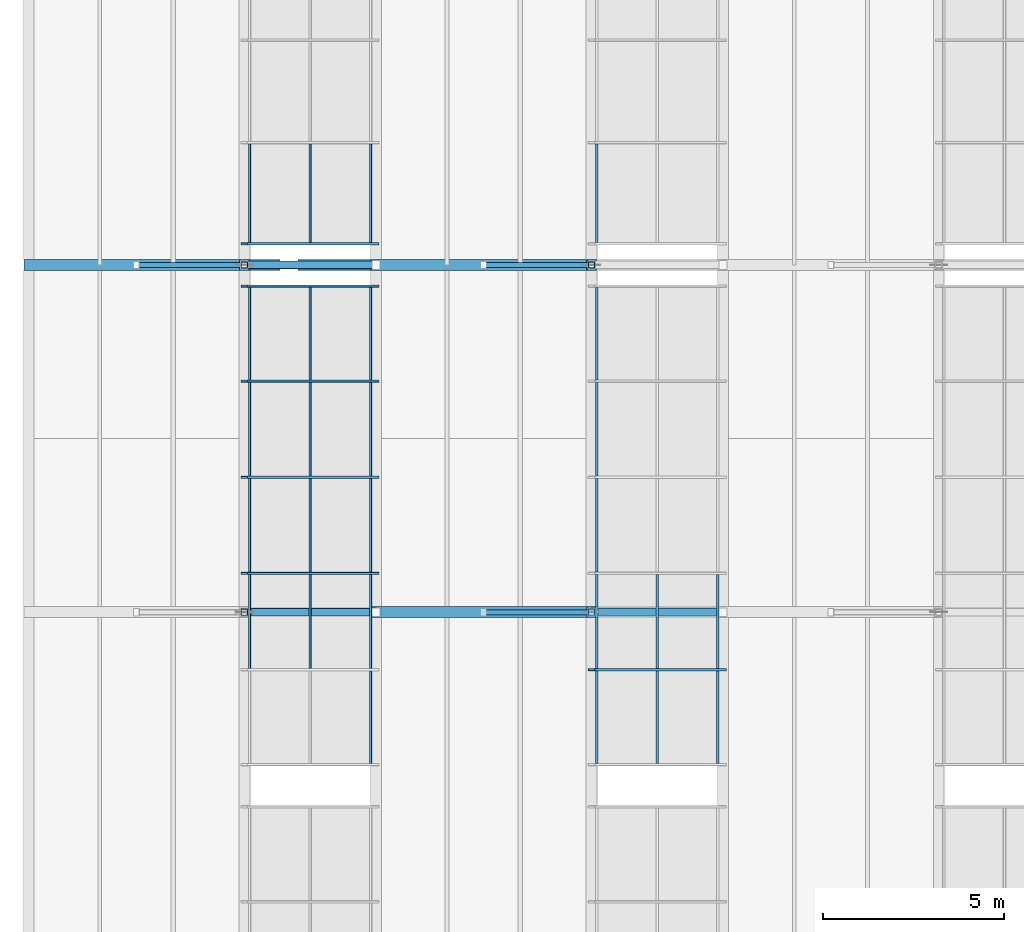
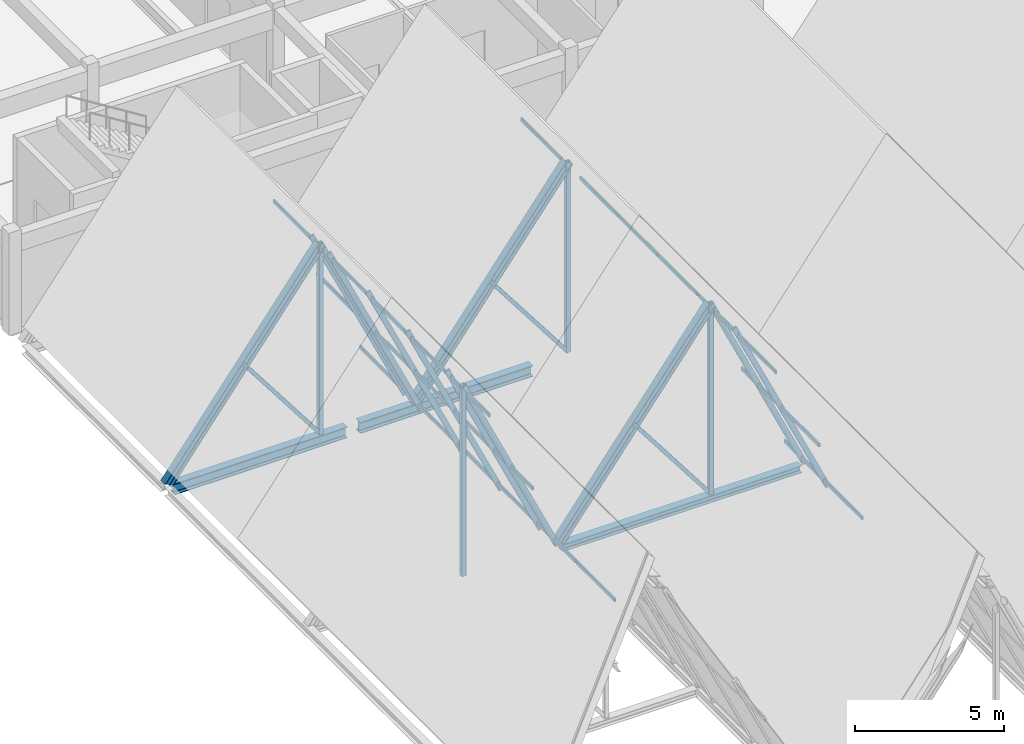
# One storey, part 14 of 99: 46 members, 2 beams, 4 elements without a shape of their own.
"""IFC4 building model written with IfcOpenShell, lengths in metres."""

from ifc_helpers import new_model, si_unit, direction, frame, origin, origin_2d, place, context, subcontext, project, spatial, hollow_rectangle, hollow_circle, i_section, extrude, material, material_profile, profile_set, type_object, element, aggregate, save


model = new_model("IFC4")

# Units and contexts
model_context = context("Model", 3, precision=1e-05, world=origin(), true_north=direction((0.0, 1.0)))
body_context = subcontext(model_context, "Body", "Model", "MODEL_VIEW")
ifc_project = project(units=[si_unit("LENGTHUNIT", "METRE"), si_unit("AREAUNIT", "SQUARE_METRE"), si_unit("VOLUMEUNIT", "CUBIC_METRE"), si_unit("PLANEANGLEUNIT", "RADIAN"), si_unit("MASSUNIT", "GRAM", prefix="KILO")], contexts=[model_context])

# Site, building, storey
site_placement = place(None, origin())
site = spatial("IfcSite", under=ifc_project, at=site_placement, CompositionType="ELEMENT")
building_placement = place(site_placement, origin())
building = spatial("IfcBuilding", under=site, at=building_placement, Name="Bramveld Media Centre", CompositionType="ELEMENT")
storey_placement = place(building_placement, frame((0.0, 0.0, 13.800048828125)))
storey = spatial("IfcBuildingStorey", under=building, at=storey_placement, Name="L03", CompositionType="ELEMENT", Elevation=13.800048828125)

# Curtain wall, members
ifc_material_1 = material(Name="Thermally broken anodized bronze aluminium unitized curtain wall with solar-control triple glazing", Category="aluminium")
curtain_wall_type_1 = type_object("IfcCurtainWallType", Name="CW-SAW-13300x8606", PredefinedType="NOTDEFINED", material=ifc_material_1)
curtain_wall_1_placement = place(storey_placement, origin())
curtain_wall_1 = element("IfcCurtainWall", 1, at=curtain_wall_1_placement, inside=storey, type_object=curtain_wall_type_1, Name="V2 sawtooth north-light clerestory B1-S2", PredefinedType="NOTDEFINED")
ifc_material_2 = material(Name="Thermally broken anodized bronze aluminium EN AW-6063 T6 curtain-wall framing", Category="aluminium")
ifc_material_profile_1 = material_profile(ifc_material_2, hollow_rectangle(XDim=0.070068359375, YDim=0.199951171875, WallThickness=0.00439453125, InnerFilletRadius=0.00439453125, OuterFilletRadius=0.009033203125, at=origin_2d()), Name="AL-MULL 70x200")
ifc_profile_set_1 = profile_set([ifc_material_profile_1], Name="Thermally broken anodized bronze aluminium EN AW-6063 T6 curtain-wall framing")
member_type_1 = type_object("IfcMemberType", Name="CW-MULL-SLP", PredefinedType="MULLION", material=ifc_profile_set_1)
member_1_placement = place(storey_placement, frame((9.60009765625, 20.27001953125, -0.02001953125), z_axis=(-0.423956992265, 0.0, 0.90568232218), x_axis=(0.0, -1.0, 0.0)))
member_1 = element("IfcMember", 2, at=member_1_placement, type_object=member_type_1, Name="CW-SA-13386 sloped mullion 3", PredefinedType="MULLION", context=body_context, shape_type="SweptSolid", body=[
    extrude(hollow_rectangle(XDim=0.070068359375, YDim=0.199951171875, WallThickness=0.00439453125, InnerFilletRadius=0.00439453125, OuterFilletRadius=0.009033203125, at=origin_2d()), origin(), (0.0, 0.0, 1.0), 8.5791015625),
])
member_2_placement = place(storey_placement, frame((9.60009765625, 22.929931640625, -0.02001953125), z_axis=(-0.423956992265, 0.0, 0.90568232218), x_axis=(0.0, -1.0, 0.0)))
member_2 = element("IfcMember", 3, at=member_2_placement, type_object=member_type_1, Name="CW-SA-13386 sloped mullion 4", PredefinedType="MULLION", context=body_context, shape_type="SweptSolid", body=[
    extrude(hollow_rectangle(XDim=0.070068359375, YDim=0.199951171875, WallThickness=0.00439453125, InnerFilletRadius=0.00439453125, OuterFilletRadius=0.009033203125, at=origin_2d()), origin(), (0.0, 0.0, 1.0), 8.5791015625),
])
member_3_placement = place(storey_placement, frame((9.60009765625, 25.590087890625, -0.02001953125), z_axis=(-0.423956992265, 0.0, 0.90568232218), x_axis=(0.0, -1.0, 0.0)))
member_3 = element("IfcMember", 4, at=member_3_placement, type_object=member_type_1, Name="CW-SA-13386 sloped mullion 5", PredefinedType="MULLION", context=body_context, shape_type="SweptSolid", body=[
    extrude(hollow_rectangle(XDim=0.070068359375, YDim=0.199951171875, WallThickness=0.00439453125, InnerFilletRadius=0.00439453125, OuterFilletRadius=0.009033203125, at=origin_2d()), origin(), (0.0, 0.0, 1.0), 8.5791015625),
])
member_4_placement = place(storey_placement, frame((9.60009765625, 28.215087890625, -0.02001953125), z_axis=(-0.423956992265, 0.0, 0.90568232218), x_axis=(0.0, -1.0, 0.0)))
member_4 = element("IfcMember", 5, at=member_4_placement, type_object=member_type_1, Name="CW-SA-13386 sloped mullion 6", PredefinedType="MULLION", context=body_context, shape_type="SweptSolid", body=[
    extrude(hollow_rectangle(XDim=0.070068359375, YDim=0.199951171875, WallThickness=0.00439453125, InnerFilletRadius=0.00439453125, OuterFilletRadius=0.009033203125, at=origin_2d()), origin(), (0.0, 0.0, 1.0), 8.5791015625),
])

# Curtain wall, member
ifc_material_3 = material(Name="Thermally broken anodized bronze aluminium unitized curtain wall with solar-control triple glazing", Category="aluminium")
curtain_wall_type_2 = type_object("IfcCurtainWallType", Name="CW-SAW-8500x8606", PredefinedType="NOTDEFINED", material=ifc_material_3)
curtain_wall_2_placement = place(storey_placement, origin())
curtain_wall_2 = element("IfcCurtainWall", 6, at=curtain_wall_2_placement, inside=storey, type_object=curtain_wall_type_2, Name="V2 sawtooth north-light clerestory B1-S3", PredefinedType="NOTDEFINED")
member_5_placement = place(storey_placement, frame((9.60009765625, 29.385009765625, -0.02001953125), z_axis=(-0.423956992265, 0.0, 0.90568232218), x_axis=(0.0, -1.0, 0.0)))
member_5 = element("IfcMember", 7, at=member_5_placement, type_object=member_type_1, Name="CW-SA-8586 sloped mullion 1", PredefinedType="MULLION", context=body_context, shape_type="SweptSolid", body=[
    extrude(hollow_rectangle(XDim=0.070068359375, YDim=0.199951171875, WallThickness=0.00439453125, InnerFilletRadius=0.00439453125, OuterFilletRadius=0.009033203125, at=origin_2d()), origin(), (0.0, 0.0, 1.0), 8.5791015625),
])

curtain_wall_3_placement = place(storey_placement, origin())
curtain_wall_3 = element("IfcCurtainWall", 8, at=curtain_wall_3_placement, inside=storey, type_object=curtain_wall_type_1, Name="V2 sawtooth north-light clerestory B2-S2", PredefinedType="NOTDEFINED")
member_6_placement = place(storey_placement, frame((19.199951171875, 17.610107421875, -0.02001953125), z_axis=(-0.423956992265, 0.0, 0.90568232218), x_axis=(0.0, -1.0, 0.0)))
member_6 = element("IfcMember", 9, at=member_6_placement, type_object=member_type_1, Name="CW-SA-13386 sloped mullion 2", PredefinedType="MULLION", context=body_context, shape_type="SweptSolid", body=[
    extrude(hollow_rectangle(XDim=0.070068359375, YDim=0.199951171875, WallThickness=0.00439453125, InnerFilletRadius=0.00439453125, OuterFilletRadius=0.009033203125, at=origin_2d()), origin(), (0.0, 0.0, 1.0), 8.5791015625),
])

# Member
ifc_material_4 = material(Name="Thermally broken anodized bronze aluminium EN AW-6063 T6 curtain-wall framing", Category="aluminium")
ifc_material_profile_2 = material_profile(ifc_material_4, hollow_rectangle(XDim=0.070068359375, YDim=0.14990234375, WallThickness=0.00390625, InnerFilletRadius=0.00390625, OuterFilletRadius=0.008056640625, at=origin_2d()), Name="AL-TRAN 70x150")
ifc_profile_set_2 = profile_set([ifc_material_profile_2], Name="Thermally broken anodized bronze aluminium EN AW-6063 T6 curtain-wall framing")
member_type_2 = type_object("IfcMemberType", Name="CW-TRAN-SLP", PredefinedType="USERDEFINED", material=ifc_profile_set_2)
member_7_placement = place(storey_placement, frame((9.45458984375, 15.02001953125, 0.290771484375), z_axis=(0.0, 1.0, 0.0), x_axis=(-1.0, 0.0, 0.0)))
member_7 = element("IfcMember", 10, at=member_7_placement, type_object=member_type_2, Name="CW-SA-13386 transom 1.1", ObjectType="TRANSOM", PredefinedType="USERDEFINED", context=body_context, shape_type="SweptSolid", body=[
    extrude(hollow_rectangle(XDim=0.070068359375, YDim=0.14990234375, WallThickness=0.00390625, InnerFilletRadius=0.00390625, OuterFilletRadius=0.008056640625, at=origin_2d()), origin(), (0.0, 0.0, 1.0), 2.554931640625),
])

member_8_placement = place(storey_placement, frame((9.45458984375, 17.64501953125, 0.290771484375), z_axis=(0.0, 1.0, 0.0), x_axis=(-1.0, 0.0, 0.0)))
member_8 = element("IfcMember", 11, at=member_8_placement, type_object=member_type_2, Name="CW-SA-13386 transom 2.1", ObjectType="TRANSOM", PredefinedType="USERDEFINED", context=body_context, shape_type="SweptSolid", body=[
    extrude(hollow_rectangle(XDim=0.070068359375, YDim=0.14990234375, WallThickness=0.00390625, InnerFilletRadius=0.00390625, OuterFilletRadius=0.008056640625, at=origin_2d()), origin(), (0.0, 0.0, 1.0), 2.590087890625),
])

member_9_placement = place(storey_placement, frame((7.781494140625, 17.64501953125, 3.864990234375), z_axis=(0.0, 1.0, 0.0), x_axis=(-1.0, 0.0, 0.0)))
member_9 = element("IfcMember", 12, at=member_9_placement, type_object=member_type_2, Name="CW-SA-13386 transom 2.2", ObjectType="TRANSOM", PredefinedType="USERDEFINED", context=body_context, shape_type="SweptSolid", body=[
    extrude(hollow_rectangle(XDim=0.070068359375, YDim=0.14990234375, WallThickness=0.00390625, InnerFilletRadius=0.00390625, OuterFilletRadius=0.008056640625, at=origin_2d()), origin(), (0.0, 0.0, 1.0), 2.590087890625),
])

member_10_placement = place(storey_placement, frame((6.1083984375, 17.64501953125, 7.439208984375), z_axis=(0.0, 1.0, 0.0), x_axis=(-1.0, 0.0, 0.0)))
member_10 = element("IfcMember", 13, at=member_10_placement, type_object=member_type_2, Name="CW-SA-13386 transom 2.3", ObjectType="TRANSOM", PredefinedType="USERDEFINED", context=body_context, shape_type="SweptSolid", body=[
    extrude(hollow_rectangle(XDim=0.070068359375, YDim=0.14990234375, WallThickness=0.00390625, InnerFilletRadius=0.00390625, OuterFilletRadius=0.008056640625, at=origin_2d()), origin(), (0.0, 0.0, 1.0), 2.590087890625),
])

member_11_placement = place(storey_placement, frame((9.45458984375, 20.304931640625, 0.290771484375), z_axis=(0.0, 1.0, 0.0), x_axis=(-1.0, 0.0, 0.0)))
member_11 = element("IfcMember", 14, at=member_11_placement, type_object=member_type_2, Name="CW-SA-13386 transom 3.1", ObjectType="TRANSOM", PredefinedType="USERDEFINED", context=body_context, shape_type="SweptSolid", body=[
    extrude(hollow_rectangle(XDim=0.070068359375, YDim=0.14990234375, WallThickness=0.00390625, InnerFilletRadius=0.00390625, OuterFilletRadius=0.008056640625, at=origin_2d()), origin(), (0.0, 0.0, 1.0), 2.590087890625),
])

member_12_placement = place(storey_placement, frame((7.781494140625, 20.304931640625, 3.864990234375), z_axis=(0.0, 1.0, 0.0), x_axis=(-1.0, 0.0, 0.0)))
member_12 = element("IfcMember", 15, at=member_12_placement, type_object=member_type_2, Name="CW-SA-13386 transom 3.2", ObjectType="TRANSOM", PredefinedType="USERDEFINED", context=body_context, shape_type="SweptSolid", body=[
    extrude(hollow_rectangle(XDim=0.070068359375, YDim=0.14990234375, WallThickness=0.00390625, InnerFilletRadius=0.00390625, OuterFilletRadius=0.008056640625, at=origin_2d()), origin(), (0.0, 0.0, 1.0), 2.590087890625),
])

member_13_placement = place(storey_placement, frame((6.1083984375, 20.304931640625, 7.439208984375), z_axis=(0.0, 1.0, 0.0), x_axis=(-1.0, 0.0, 0.0)))
member_13 = element("IfcMember", 16, at=member_13_placement, type_object=member_type_2, Name="CW-SA-13386 transom 3.3", ObjectType="TRANSOM", PredefinedType="USERDEFINED", context=body_context, shape_type="SweptSolid", body=[
    extrude(hollow_rectangle(XDim=0.070068359375, YDim=0.14990234375, WallThickness=0.00390625, InnerFilletRadius=0.00390625, OuterFilletRadius=0.008056640625, at=origin_2d()), origin(), (0.0, 0.0, 1.0), 2.590087890625),
])

member_14_placement = place(storey_placement, frame((9.45458984375, 22.965087890625, 0.290771484375), z_axis=(0.0, 1.0, 0.0), x_axis=(-1.0, 0.0, 0.0)))
member_14 = element("IfcMember", 17, at=member_14_placement, type_object=member_type_2, Name="CW-SA-13386 transom 4.1", ObjectType="TRANSOM", PredefinedType="USERDEFINED", context=body_context, shape_type="SweptSolid", body=[
    extrude(hollow_rectangle(XDim=0.070068359375, YDim=0.14990234375, WallThickness=0.00390625, InnerFilletRadius=0.00390625, OuterFilletRadius=0.008056640625, at=origin_2d()), origin(), (0.0, 0.0, 1.0), 2.58984375),
])

member_15_placement = place(storey_placement, frame((7.781494140625, 22.965087890625, 3.864990234375), z_axis=(0.0, 1.0, 0.0), x_axis=(-1.0, 0.0, 0.0)))
member_15 = element("IfcMember", 18, at=member_15_placement, type_object=member_type_2, Name="CW-SA-13386 transom 4.2", ObjectType="TRANSOM", PredefinedType="USERDEFINED", context=body_context, shape_type="SweptSolid", body=[
    extrude(hollow_rectangle(XDim=0.070068359375, YDim=0.14990234375, WallThickness=0.00390625, InnerFilletRadius=0.00390625, OuterFilletRadius=0.008056640625, at=origin_2d()), origin(), (0.0, 0.0, 1.0), 2.58984375),
])

member_16_placement = place(storey_placement, frame((6.1083984375, 22.965087890625, 7.439208984375), z_axis=(0.0, 1.0, 0.0), x_axis=(-1.0, 0.0, 0.0)))
member_16 = element("IfcMember", 19, at=member_16_placement, type_object=member_type_2, Name="CW-SA-13386 transom 4.3", ObjectType="TRANSOM", PredefinedType="USERDEFINED", context=body_context, shape_type="SweptSolid", body=[
    extrude(hollow_rectangle(XDim=0.070068359375, YDim=0.14990234375, WallThickness=0.00390625, InnerFilletRadius=0.00390625, OuterFilletRadius=0.008056640625, at=origin_2d()), origin(), (0.0, 0.0, 1.0), 2.58984375),
])

member_17_placement = place(storey_placement, frame((9.45458984375, 25.625, 0.290771484375), z_axis=(0.0, 1.0, 0.0), x_axis=(-1.0, 0.0, 0.0)))
member_17 = element("IfcMember", 20, at=member_17_placement, type_object=member_type_2, Name="CW-SA-13386 transom 5.1", ObjectType="TRANSOM", PredefinedType="USERDEFINED", context=body_context, shape_type="SweptSolid", body=[
    extrude(hollow_rectangle(XDim=0.070068359375, YDim=0.14990234375, WallThickness=0.00390625, InnerFilletRadius=0.00390625, OuterFilletRadius=0.008056640625, at=origin_2d()), origin(), (0.0, 0.0, 1.0), 2.554931640625),
])

member_18_placement = place(storey_placement, frame((7.781494140625, 25.625, 3.864990234375), z_axis=(0.0, 1.0, 0.0), x_axis=(-1.0, 0.0, 0.0)))
member_18 = element("IfcMember", 21, at=member_18_placement, type_object=member_type_2, Name="CW-SA-13386 transom 5.2", ObjectType="TRANSOM", PredefinedType="USERDEFINED", context=body_context, shape_type="SweptSolid", body=[
    extrude(hollow_rectangle(XDim=0.070068359375, YDim=0.14990234375, WallThickness=0.00390625, InnerFilletRadius=0.00390625, OuterFilletRadius=0.008056640625, at=origin_2d()), origin(), (0.0, 0.0, 1.0), 2.554931640625),
])

member_19_placement = place(storey_placement, frame((6.1083984375, 25.625, 7.439208984375), z_axis=(0.0, 1.0, 0.0), x_axis=(-1.0, 0.0, 0.0)))
member_19 = element("IfcMember", 22, at=member_19_placement, type_object=member_type_2, Name="CW-SA-13386 transom 5.3", ObjectType="TRANSOM", PredefinedType="USERDEFINED", context=body_context, shape_type="SweptSolid", body=[
    extrude(hollow_rectangle(XDim=0.070068359375, YDim=0.14990234375, WallThickness=0.00390625, InnerFilletRadius=0.00390625, OuterFilletRadius=0.008056640625, at=origin_2d()), origin(), (0.0, 0.0, 1.0), 2.554931640625),
])

aggregate(curtain_wall_1, [member_1, member_2, member_3, member_4, member_7, member_8, member_9, member_10, member_11, member_12, member_13, member_14, member_15, member_16, member_17, member_18, member_19])

member_20_placement = place(storey_placement, frame((9.45458984375, 29.419921875, 0.290771484375), z_axis=(0.0, 1.0, 0.0), x_axis=(-1.0, 0.0, 0.0)))
member_20 = element("IfcMember", 23, at=member_20_placement, type_object=member_type_2, Name="CW-SA-8586 transom 1.1", ObjectType="TRANSOM", PredefinedType="USERDEFINED", context=body_context, shape_type="SweptSolid", body=[
    extrude(hollow_rectangle(XDim=0.070068359375, YDim=0.14990234375, WallThickness=0.00390625, InnerFilletRadius=0.00390625, OuterFilletRadius=0.008056640625, at=origin_2d()), origin(), (0.0, 0.0, 1.0), 2.728271484375),
])

member_21_placement = place(storey_placement, frame((7.781494140625, 29.419921875, 3.864990234375), z_axis=(0.0, 1.0, 0.0), x_axis=(-1.0, 0.0, 0.0)))
member_21 = element("IfcMember", 24, at=member_21_placement, type_object=member_type_2, Name="CW-SA-8586 transom 1.2", ObjectType="TRANSOM", PredefinedType="USERDEFINED", context=body_context, shape_type="SweptSolid", body=[
    extrude(hollow_rectangle(XDim=0.070068359375, YDim=0.14990234375, WallThickness=0.00390625, InnerFilletRadius=0.00390625, OuterFilletRadius=0.008056640625, at=origin_2d()), origin(), (0.0, 0.0, 1.0), 2.728271484375),
])

member_22_placement = place(storey_placement, frame((6.1083984375, 29.419921875, 7.439208984375), z_axis=(0.0, 1.0, 0.0), x_axis=(-1.0, 0.0, 0.0)))
member_22 = element("IfcMember", 25, at=member_22_placement, type_object=member_type_2, Name="CW-SA-8586 transom 1.3", ObjectType="TRANSOM", PredefinedType="USERDEFINED", context=body_context, shape_type="SweptSolid", body=[
    extrude(hollow_rectangle(XDim=0.070068359375, YDim=0.14990234375, WallThickness=0.00390625, InnerFilletRadius=0.00390625, OuterFilletRadius=0.008056640625, at=origin_2d()), origin(), (0.0, 0.0, 1.0), 2.728271484375),
])

aggregate(curtain_wall_2, [member_5, member_20, member_21, member_22])

member_23_placement = place(storey_placement, frame((19.054443359375, 15.02001953125, 0.290771484375), z_axis=(0.0, 1.0, 0.0), x_axis=(-1.0, 0.0, 0.0)))
member_23 = element("IfcMember", 26, at=member_23_placement, type_object=member_type_2, Name="CW-SA-13386 transom 1.1", ObjectType="TRANSOM", PredefinedType="USERDEFINED", context=body_context, shape_type="SweptSolid", body=[
    extrude(hollow_rectangle(XDim=0.070068359375, YDim=0.14990234375, WallThickness=0.00390625, InnerFilletRadius=0.00390625, OuterFilletRadius=0.008056640625, at=origin_2d()), origin(), (0.0, 0.0, 1.0), 2.554931640625),
])

member_24_placement = place(storey_placement, frame((17.38134765625, 15.02001953125, 3.864990234375), z_axis=(0.0, 1.0, 0.0), x_axis=(-1.0, 0.0, 0.0)))
member_24 = element("IfcMember", 27, at=member_24_placement, type_object=member_type_2, Name="CW-SA-13386 transom 1.2", ObjectType="TRANSOM", PredefinedType="USERDEFINED", context=body_context, shape_type="SweptSolid", body=[
    extrude(hollow_rectangle(XDim=0.070068359375, YDim=0.14990234375, WallThickness=0.00390625, InnerFilletRadius=0.00390625, OuterFilletRadius=0.008056640625, at=origin_2d()), origin(), (0.0, 0.0, 1.0), 2.554931640625),
])

member_25_placement = place(storey_placement, frame((15.708251953125, 15.02001953125, 7.439208984375), z_axis=(0.0, 1.0, 0.0), x_axis=(-1.0, 0.0, 0.0)))
member_25 = element("IfcMember", 28, at=member_25_placement, type_object=member_type_2, Name="CW-SA-13386 transom 1.3", ObjectType="TRANSOM", PredefinedType="USERDEFINED", context=body_context, shape_type="SweptSolid", body=[
    extrude(hollow_rectangle(XDim=0.070068359375, YDim=0.14990234375, WallThickness=0.00390625, InnerFilletRadius=0.00390625, OuterFilletRadius=0.008056640625, at=origin_2d()), origin(), (0.0, 0.0, 1.0), 2.554931640625),
])

member_26_placement = place(storey_placement, frame((19.054443359375, 17.64501953125, 0.290771484375), z_axis=(0.0, 1.0, 0.0), x_axis=(-1.0, 0.0, 0.0)))
member_26 = element("IfcMember", 29, at=member_26_placement, type_object=member_type_2, Name="CW-SA-13386 transom 2.1", ObjectType="TRANSOM", PredefinedType="USERDEFINED", context=body_context, shape_type="SweptSolid", body=[
    extrude(hollow_rectangle(XDim=0.070068359375, YDim=0.14990234375, WallThickness=0.00390625, InnerFilletRadius=0.00390625, OuterFilletRadius=0.008056640625, at=origin_2d()), origin(), (0.0, 0.0, 1.0), 2.590087890625),
])

member_27_placement = place(storey_placement, frame((17.38134765625, 17.64501953125, 3.864990234375), z_axis=(0.0, 1.0, 0.0), x_axis=(-1.0, 0.0, 0.0)))
member_27 = element("IfcMember", 30, at=member_27_placement, type_object=member_type_2, Name="CW-SA-13386 transom 2.2", ObjectType="TRANSOM", PredefinedType="USERDEFINED", context=body_context, shape_type="SweptSolid", body=[
    extrude(hollow_rectangle(XDim=0.070068359375, YDim=0.14990234375, WallThickness=0.00390625, InnerFilletRadius=0.00390625, OuterFilletRadius=0.008056640625, at=origin_2d()), origin(), (0.0, 0.0, 1.0), 2.590087890625),
])

member_28_placement = place(storey_placement, frame((15.708251953125, 17.64501953125, 7.439208984375), z_axis=(0.0, 1.0, 0.0), x_axis=(-1.0, 0.0, 0.0)))
member_28 = element("IfcMember", 31, at=member_28_placement, type_object=member_type_2, Name="CW-SA-13386 transom 2.3", ObjectType="TRANSOM", PredefinedType="USERDEFINED", context=body_context, shape_type="SweptSolid", body=[
    extrude(hollow_rectangle(XDim=0.070068359375, YDim=0.14990234375, WallThickness=0.00390625, InnerFilletRadius=0.00390625, OuterFilletRadius=0.008056640625, at=origin_2d()), origin(), (0.0, 0.0, 1.0), 2.590087890625),
])

member_29_placement = place(storey_placement, frame((15.708251953125, 20.304931640625, 7.439208984375), z_axis=(0.0, 1.0, 0.0), x_axis=(-1.0, 0.0, 0.0)))
member_29 = element("IfcMember", 32, at=member_29_placement, type_object=member_type_2, Name="CW-SA-13386 transom 3.3", ObjectType="TRANSOM", PredefinedType="USERDEFINED", context=body_context, shape_type="SweptSolid", body=[
    extrude(hollow_rectangle(XDim=0.070068359375, YDim=0.14990234375, WallThickness=0.00390625, InnerFilletRadius=0.00390625, OuterFilletRadius=0.008056640625, at=origin_2d()), origin(), (0.0, 0.0, 1.0), 2.590087890625),
])

member_30_placement = place(storey_placement, frame((15.708251953125, 22.965087890625, 7.439208984375), z_axis=(0.0, 1.0, 0.0), x_axis=(-1.0, 0.0, 0.0)))
member_30 = element("IfcMember", 33, at=member_30_placement, type_object=member_type_2, Name="CW-SA-13386 transom 4.3", ObjectType="TRANSOM", PredefinedType="USERDEFINED", context=body_context, shape_type="SweptSolid", body=[
    extrude(hollow_rectangle(XDim=0.070068359375, YDim=0.14990234375, WallThickness=0.00390625, InnerFilletRadius=0.00390625, OuterFilletRadius=0.008056640625, at=origin_2d()), origin(), (0.0, 0.0, 1.0), 2.58984375),
])

member_31_placement = place(storey_placement, frame((15.708251953125, 25.625, 7.439208984375), z_axis=(0.0, 1.0, 0.0), x_axis=(-1.0, 0.0, 0.0)))
member_31 = element("IfcMember", 34, at=member_31_placement, type_object=member_type_2, Name="CW-SA-13386 transom 5.3", ObjectType="TRANSOM", PredefinedType="USERDEFINED", context=body_context, shape_type="SweptSolid", body=[
    extrude(hollow_rectangle(XDim=0.070068359375, YDim=0.14990234375, WallThickness=0.00390625, InnerFilletRadius=0.00390625, OuterFilletRadius=0.008056640625, at=origin_2d()), origin(), (0.0, 0.0, 1.0), 2.554931640625),
])

aggregate(curtain_wall_3, [member_6, member_23, member_24, member_25, member_26, member_27, member_28, member_29, member_30, member_31])

# Curtain wall, member
curtain_wall_4_placement = place(storey_placement, origin())
curtain_wall_4 = element("IfcCurtainWall", 35, at=curtain_wall_4_placement, inside=storey, type_object=curtain_wall_type_2, Name="V2 sawtooth north-light clerestory B2-S3", PredefinedType="NOTDEFINED")
member_32_placement = place(storey_placement, frame((15.708251953125, 29.419921875, 7.439208984375), z_axis=(0.0, 1.0, 0.0), x_axis=(-1.0, 0.0, 0.0)))
member_32 = element("IfcMember", 36, at=member_32_placement, type_object=member_type_2, Name="CW-SA-8586 transom 1.3", ObjectType="TRANSOM", PredefinedType="USERDEFINED", context=body_context, shape_type="SweptSolid", body=[
    extrude(hollow_rectangle(XDim=0.070068359375, YDim=0.14990234375, WallThickness=0.00390625, InnerFilletRadius=0.00390625, OuterFilletRadius=0.008056640625, at=origin_2d()), origin(), (0.0, 0.0, 1.0), 2.728271484375),
])
aggregate(curtain_wall_4, [member_32])

# Members
ifc_material_5 = material(Name="Steel S355J2H", Category="steel")
ifc_material_profile_3 = material_profile(ifc_material_5, hollow_circle(Radius=0.109619140625, WallThickness=0.012451171875, at=origin_2d()), Name="CHS 219.1x12.5")
ifc_profile_set_3 = profile_set([ifc_material_profile_3], Name="Steel S355J2H")
member_type_3 = type_object("IfcMemberType", Name="MEM-BRACE-CHS219", PredefinedType="BRACE", material=ifc_profile_set_3)
for number, where, z_axis, x_axis, name in (
    (37, (9.60009765625, 19.199951171875, 0.0), (-0.422616785161, 0.0, 0.906308475575), (0.0, -1.0, 0.0), "TRUSS-V2-B01-F3 north-light strut"),
    (38, (9.60009765625, 28.800048828125, 0.0), (-0.422616785161, 0.0, 0.906308475575), (0.0, -1.0, 0.0), "TRUSS-V2-B01-F4 north-light strut"),
    (39, (19.199951171875, 19.199951171875, 0.0), (-0.422616785161, 0.0, 0.906308475575), (0.0, -1.0, 0.0), "TRUSS-V2-B02-F3 north-light strut"),
):
    element("IfcMember", number, at=place(storey_placement, frame(where, z_axis=z_axis, x_axis=x_axis)), inside=storey, type_object=member_type_3, Name=name, PredefinedType="BRACE", context=body_context, shape_type="SweptSolid", body=[
        extrude(hollow_circle(Radius=0.109619140625, WallThickness=0.012451171875, at=origin_2d()), origin(), (0.0, 0.0, 1.0), 8.6064453125),
    ])
ifc_material_6 = material(Name="Steel S355J2H", Category="steel")
ifc_material_profile_4 = material_profile(ifc_material_6, hollow_rectangle(XDim=0.14990234375, YDim=0.14990234375, WallThickness=0.010009765625, InnerFilletRadius=0.010009765625, OuterFilletRadius=0.02001953125, at=origin_2d()), Name="SHS 150x150x10")
ifc_profile_set_4 = profile_set([ifc_material_profile_4], Name="Steel S355J2H")
member_type_4 = type_object("IfcMemberType", Name="MEM-BRACE-SHS150", PredefinedType="BRACE", material=ifc_profile_set_4)
for number, where, z_axis, x_axis, name in (
    (40, (5.962890625, 28.800048828125, 0.0), (-0.607343034298, 0.0, 0.794439701104), (0.0, -1.0, 0.0), "TRUSS-V2-B01-F4 web diagonal"),
    (41, (15.562744140625, 19.199951171875, 0.0), (-0.607343034298, 0.0, 0.794439701104), (0.0, -1.0, 0.0), "TRUSS-V2-B02-F3 web diagonal"),
    (42, (15.562744140625, 28.800048828125, 0.0), (-0.607343034298, 0.0, 0.794439701104), (0.0, -1.0, 0.0), "TRUSS-V2-B02-F4 web diagonal"),
):
    element("IfcMember", number, at=place(storey_placement, frame(where, z_axis=z_axis, x_axis=x_axis)), inside=storey, type_object=member_type_4, Name=name, PredefinedType="BRACE", context=body_context, shape_type="SweptSolid", body=[
        extrude(hollow_rectangle(XDim=0.14990234375, YDim=0.14990234375, WallThickness=0.010009765625, InnerFilletRadius=0.010009765625, OuterFilletRadius=0.02001953125, at=origin_2d()), origin(), (0.0, 0.0, 1.0), 4.908935546875),
    ])
ifc_material_7 = material(Name="Steel S355J2", Category="steel")
ifc_material_profile_5 = material_profile(ifc_material_7, i_section(OverallWidth=0.300048828125, OverallDepth=0.2900390625, WebThickness=0.008544921875, FlangeThickness=0.013916015625, FilletRadius=0.027099609375, at=origin_2d()), Name="HEA 300")
ifc_profile_set_5 = profile_set([ifc_material_profile_5], Name="Steel S355J2")
member_type_5 = type_object("IfcMemberType", Name="MEM-CHORD-HEA300", PredefinedType="CHORD", material=ifc_profile_set_5)
member_33_placement = place(storey_placement, frame((9.760009765625, 19.199951171875, -0.14501953125), z_axis=(1.0, 0.0, 0.0), x_axis=(0.0, 1.0, 0.0)))
element("IfcMember", 43, at=member_33_placement, inside=storey, type_object=member_type_5, Name="TRUSS-V2-B02-F3 bottom tie chord", PredefinedType="CHORD", context=body_context, shape_type="SweptSolid", body=[
    extrude(i_section(OverallWidth=0.300048828125, OverallDepth=0.2900390625, WebThickness=0.008544921875, FlangeThickness=0.013916015625, FilletRadius=0.027099609375, at=origin_2d()), origin(), (0.0, 0.0, 1.0), 9.280029296875),
])
ifc_material_8 = material(Name="Steel S355J2", Category="steel")
ifc_material_profile_6 = material_profile(ifc_material_8, i_section(OverallWidth=0.300048828125, OverallDepth=0.340087890625, WebThickness=0.011962890625, FlangeThickness=0.021484375, FilletRadius=0.027099609375, at=origin_2d()), Name="HEB 340")
ifc_profile_set_6 = profile_set([ifc_material_profile_6], Name="Steel S355J2")
member_type_6 = type_object("IfcMemberType", Name="MEM-CHORD-HEB340", PredefinedType="CHORD", material=ifc_profile_set_6)
for number, where, z_axis, x_axis, name in (
    (44, (0.0, 28.800048828125, 0.0), (0.607331036372, 0.0, 0.794448873282), (0.0, 1.0, 0.0), "TRUSS-V2-B01-F4 top rafter chord"),
    (45, (9.60009765625, 19.199951171875, 0.0), (0.607315341765, 0.0, 0.794460871067), (0.0, 1.0, 0.0), "TRUSS-V2-B02-F3 top rafter chord"),
    (46, (9.60009765625, 28.800048828125, 0.0), (0.607315341765, 0.0, 0.794460871067), (0.0, 1.0, 0.0), "TRUSS-V2-B02-F4 top rafter chord"),
):
    element("IfcMember", number, at=place(storey_placement, frame(where, z_axis=z_axis, x_axis=x_axis)), inside=storey, type_object=member_type_6, Name=name, PredefinedType="CHORD", context=body_context, shape_type="SweptSolid", body=[
        extrude(i_section(OverallWidth=0.300048828125, OverallDepth=0.340087890625, WebThickness=0.011962890625, FlangeThickness=0.021484375, FilletRadius=0.027099609375, at=origin_2d()), origin(), (0.0, 0.0, 1.0), 9.818115234375),
    ])
ifc_material_9 = material(Name="Steel S355J2H", Category="steel")
ifc_material_profile_7 = material_profile(ifc_material_9, hollow_rectangle(XDim=0.179931640625, YDim=0.179931640625, WallThickness=0.010009765625, InnerFilletRadius=0.010009765625, OuterFilletRadius=0.02001953125, at=origin_2d()), Name="SHS 180x180x10")
ifc_profile_set_7 = profile_set([ifc_material_profile_7], Name="Steel S355J2H")
member_type_7 = type_object("IfcMemberType", Name="MEM-POST-SHS180", PredefinedType="POST", material=ifc_profile_set_7)
for number, where, z_axis, x_axis, name in (
    (47, (5.962890625, 19.199951171875, 0.0), (0.0, 0.0, 1.0), (1.0, 0.0, 0.0), "TRUSS-V2-B01-F3 kingpost"),
    (48, (5.962890625, 28.800048828125, 0.0), (0.0, 0.0, 1.0), (1.0, 0.0, 0.0), "TRUSS-V2-B01-F4 kingpost"),
    (49, (15.562744140625, 19.199951171875, 0.0), (0.0, 0.0, 1.0), (1.0, 0.0, 0.0), "TRUSS-V2-B02-F3 kingpost"),
    (50, (15.562744140625, 28.800048828125, 0.0), (0.0, 0.0, 1.0), (1.0, 0.0, 0.0), "TRUSS-V2-B02-F4 kingpost"),
):
    element("IfcMember", number, at=place(storey_placement, frame(where, z_axis=z_axis, x_axis=x_axis)), inside=storey, type_object=member_type_7, Name=name, PredefinedType="POST", context=body_context, shape_type="SweptSolid", body=[
        extrude(hollow_rectangle(XDim=0.179931640625, YDim=0.179931640625, WallThickness=0.010009765625, InnerFilletRadius=0.010009765625, OuterFilletRadius=0.02001953125, at=origin_2d()), origin(), (0.0, 0.0, 1.0), 7.800048828125),
    ])

# Beams
ifc_material_10 = material(Name="Steel S355J2", Category="steel")
ifc_material_profile_8 = material_profile(ifc_material_10, i_section(OverallWidth=0.300048828125, OverallDepth=0.449951171875, WebThickness=0.013916015625, FlangeThickness=0.02587890625, FilletRadius=0.027099609375, at=origin_2d()), Name="HEB 450")
ifc_profile_set_8 = profile_set([ifc_material_profile_8], Name="Steel S355J2")
beam_type = type_object("IfcBeamType", Name="SBM-INT-HEB-450", PredefinedType="BEAM", material=ifc_profile_set_8)
for number, where, z_axis, x_axis, name in (
    (51, (0.25, 28.800048828125, -0.22509765625), (1.0, 0.0, 0.0), (0.0, 1.0, 0.0), "V2 sawtooth tie girder"),
    (52, (7.449951171875, 28.800048828125, -0.22509765625), (1.0, 0.0, 0.0), (0.0, 1.0, 0.0), "V2 sawtooth tie girder"),
):
    element("IfcBeam", number, at=place(storey_placement, frame(where, z_axis=z_axis, x_axis=x_axis)), inside=storey, type_object=beam_type, Name=name, PredefinedType="BEAM", context=body_context, shape_type="SweptSolid", body=[
        extrude(i_section(OverallWidth=0.300048828125, OverallDepth=0.449951171875, WebThickness=0.013916015625, FlangeThickness=0.02587890625, FilletRadius=0.027099609375, at=origin_2d()), origin(), (0.0, 0.0, 1.0), 6.699951171875),
    ])

save(model, "model.ifc")
